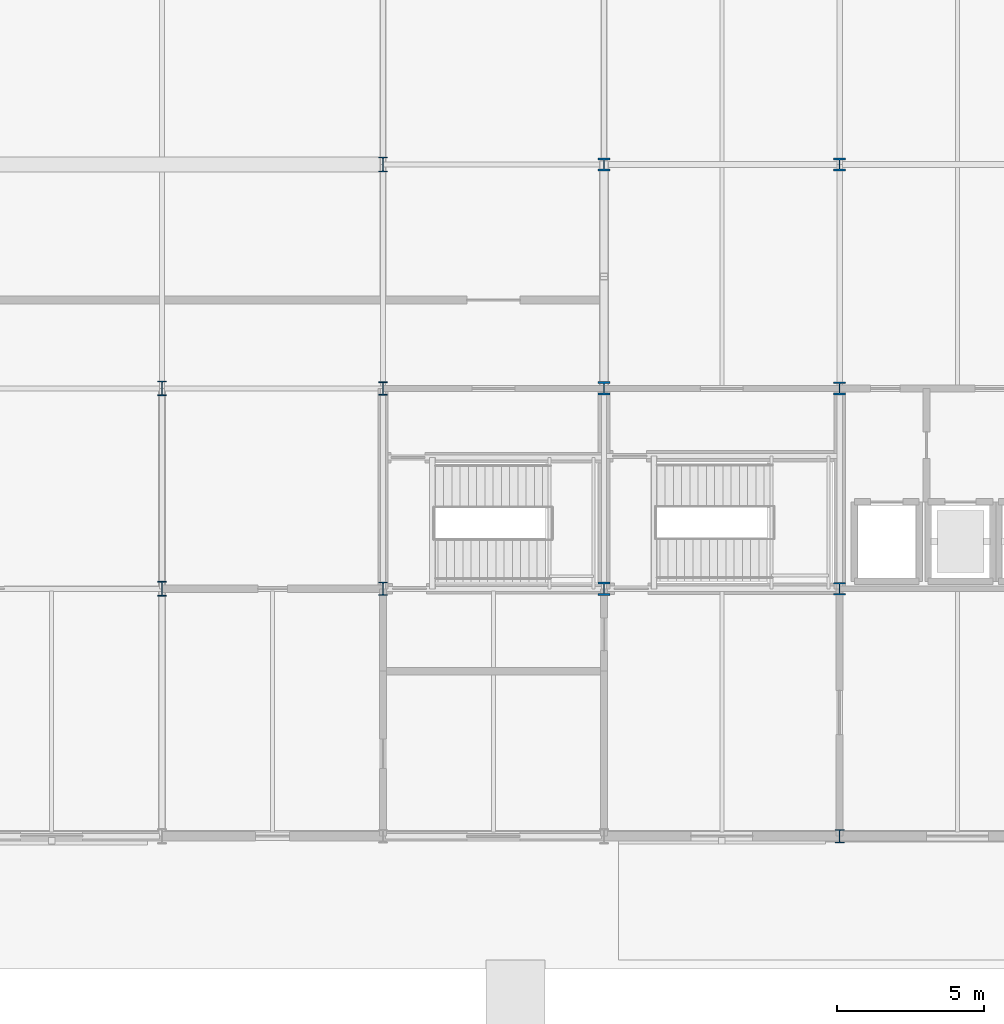
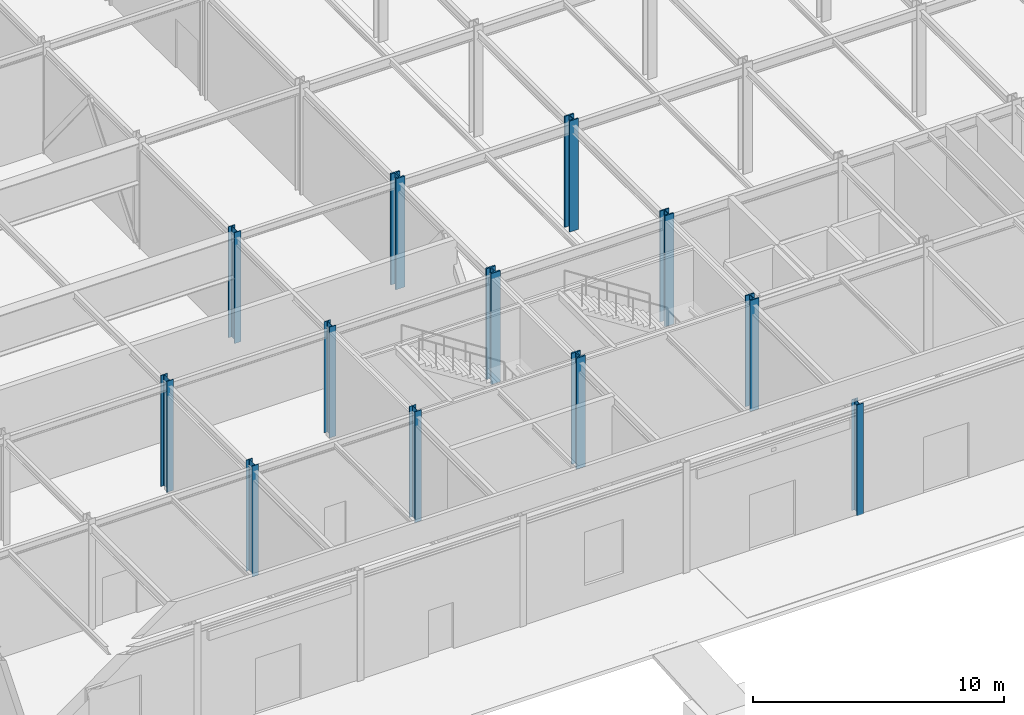
# One storey, part 2 of 89: 12 columns.
"""IFC4 building model written with IfcOpenShell, lengths in metres."""

from ifc_helpers import new_model, si_unit, direction, frame, origin, origin_2d, place, context, subcontext, project, spatial, i_section, extrude, material, material_profile, profile_set, type_object, element, save


model = new_model("IFC4")

# Units and contexts
model_context = context("Model", 3, precision=1e-05, world=origin(), true_north=direction((0.0, 1.0)))
body_context = subcontext(model_context, "Body", "Model", "MODEL_VIEW")
ifc_project = project(units=[si_unit("LENGTHUNIT", "METRE"), si_unit("AREAUNIT", "SQUARE_METRE"), si_unit("VOLUMEUNIT", "CUBIC_METRE"), si_unit("PLANEANGLEUNIT", "RADIAN"), si_unit("MASSUNIT", "GRAM", prefix="KILO")], contexts=[model_context])

# Site, building, storey
site_placement = place(None, origin())
site = spatial("IfcSite", under=ifc_project, at=site_placement, CompositionType="ELEMENT")
building_placement = place(site_placement, origin())
building = spatial("IfcBuilding", under=site, at=building_placement, Name="Shalkamar Park Central Library", CompositionType="ELEMENT")
storey_placement = place(building_placement, origin())
storey = spatial("IfcBuildingStorey", under=building, at=storey_placement, Name="L01", CompositionType="ELEMENT", Elevation=0.0)

# Columns
ifc_material = material(Name="Steel S355", Category="steel")
ifc_material_profile_1 = material_profile(ifc_material, i_section(OverallWidth=0.412109375, OverallDepth=0.43505859375, WebThickness=0.035888671875, FlangeThickness=0.057373046875, FilletRadius=0.014892578125, at=origin_2d()), Name="HD 400x463")
ifc_profile_set_1 = profile_set([ifc_material_profile_1], Name="Steel S355")
column_type_1 = type_object("IfcColumnType", Name="Column Steel HD400x463", PredefinedType="COLUMN", material=ifc_profile_set_1)
for number, where, z_axis, x_axis, name in (
    (1, (173.0, 248.39990234375, 0.0), (0.0, 0.0, 1.0), (1.0, 0.0, 0.0), "Column 08/B (L01)"),
    (2, (173.0, 255.199951171875, 0.0), (0.0, 0.0, 1.0), (1.0, 0.0, 0.0), "Column 08/C (L01)"),
    (3, (173.0, 262.800048828125, 0.0), (0.0, 0.0, 1.0), (1.0, 0.0, 0.0), "Column 08/D (L01)"),
):
    element("IfcColumn", number, at=place(storey_placement, frame(where, z_axis=z_axis, x_axis=x_axis)), inside=storey, type_object=column_type_1, Name=name, PredefinedType="COLUMN", context=body_context, shape_type="SweptSolid", body=[
        extrude(i_section(OverallWidth=0.412109375, OverallDepth=0.43505859375, WebThickness=0.035888671875, FlangeThickness=0.057373046875, FilletRadius=0.014892578125, at=origin_2d()), origin(), (0.0, 0.0, 1.0), 5.39990234375),
    ])
ifc_material_profile_2 = material_profile(ifc_material, i_section(OverallWidth=0.41796875, OverallDepth=0.455078125, WebThickness=0.0419921875, FlangeThickness=0.067626953125, FilletRadius=0.014892578125, at=origin_2d()), Name="HD 400x551")
ifc_profile_set_2 = profile_set([ifc_material_profile_2], Name="Steel S355")
column_type_2 = type_object("IfcColumnType", Name="Column Steel HD400x551", PredefinedType="COLUMN", material=ifc_profile_set_2)
for number, where, z_axis, x_axis, name in (
    (4, (165.0, 248.39990234375, 0.0), (0.0, 0.0, 1.0), (1.0, 0.0, 0.0), "Column 07/B (L01)"),
    (5, (165.0, 255.199951171875, 0.0), (0.0, 0.0, 1.0), (1.0, 0.0, 0.0), "Column 07/C (L01)"),
    (6, (165.0, 262.800048828125, 0.0), (0.0, 0.0, 1.0), (1.0, 0.0, 0.0), "Column 07/D (L01)"),
):
    element("IfcColumn", number, at=place(storey_placement, frame(where, z_axis=z_axis, x_axis=x_axis)), inside=storey, type_object=column_type_2, Name=name, PredefinedType="COLUMN", context=body_context, shape_type="SweptSolid", body=[
        extrude(i_section(OverallWidth=0.41796875, OverallDepth=0.455078125, WebThickness=0.0419921875, FlangeThickness=0.067626953125, FilletRadius=0.014892578125, at=origin_2d()), origin(), (0.0, 0.0, 1.0), 5.39990234375),
    ])
ifc_material_profile_3 = material_profile(ifc_material, i_section(OverallWidth=0.300048828125, OverallDepth=0.449951171875, WebThickness=0.013916015625, FlangeThickness=0.02587890625, FilletRadius=0.027099609375, at=origin_2d()), Name="HEB 450")
ifc_profile_set_3 = profile_set([ifc_material_profile_3], Name="Steel S355")
column_type_3 = type_object("IfcColumnType", Name="Column Steel HEB450", PredefinedType="COLUMN", material=ifc_profile_set_3)
for number, where, z_axis, x_axis, name in (
    (7, (157.5, 248.39990234375, 0.0), (0.0, 0.0, 1.0), (1.0, 0.0, 0.0), "Column 06/B (L01)"),
    (8, (157.5, 255.199951171875, 0.0), (0.0, 0.0, 1.0), (1.0, 0.0, 0.0), "Column 06/C (L01)"),
    (9, (173.0, 240.0, 0.0), (0.0, 0.0, 1.0), (1.0, 0.0, 0.0), "Column 08/A (L01)"),
):
    element("IfcColumn", number, at=place(storey_placement, frame(where, z_axis=z_axis, x_axis=x_axis)), inside=storey, type_object=column_type_3, Name=name, PredefinedType="COLUMN", context=body_context, shape_type="SweptSolid", body=[
        extrude(i_section(OverallWidth=0.300048828125, OverallDepth=0.449951171875, WebThickness=0.013916015625, FlangeThickness=0.02587890625, FilletRadius=0.027099609375, at=origin_2d()), origin(), (0.0, 0.0, 1.0), 5.39990234375),
    ])
ifc_material_profile_4 = material_profile(ifc_material, i_section(OverallWidth=0.300048828125, OverallDepth=0.5, WebThickness=0.014404296875, FlangeThickness=0.028076171875, FilletRadius=0.027099609375, at=origin_2d()), Name="HEB 500")
ifc_profile_set_4 = profile_set([ifc_material_profile_4], Name="Steel S355")
column_type_4 = type_object("IfcColumnType", Name="Column Steel HEB500", PredefinedType="COLUMN", material=ifc_profile_set_4)
for number, where, z_axis, x_axis, name in (
    (10, (150.0, 248.39990234375, 0.0), (0.0, 0.0, 1.0), (1.0, 0.0, 0.0), "Column 05/B (L01)"),
    (11, (150.0, 255.199951171875, 0.0), (0.0, 0.0, 1.0), (1.0, 0.0, 0.0), "Column 05/C (L01)"),
    (12, (157.5, 262.800048828125, 0.0), (0.0, 0.0, 1.0), (1.0, 0.0, 0.0), "Column 06/D (L01)"),
):
    element("IfcColumn", number, at=place(storey_placement, frame(where, z_axis=z_axis, x_axis=x_axis)), inside=storey, type_object=column_type_4, Name=name, PredefinedType="COLUMN", context=body_context, shape_type="SweptSolid", body=[
        extrude(i_section(OverallWidth=0.300048828125, OverallDepth=0.5, WebThickness=0.014404296875, FlangeThickness=0.028076171875, FilletRadius=0.027099609375, at=origin_2d()), origin(), (0.0, 0.0, 1.0), 5.39990234375),
    ])

save(model, "model.ifc")
